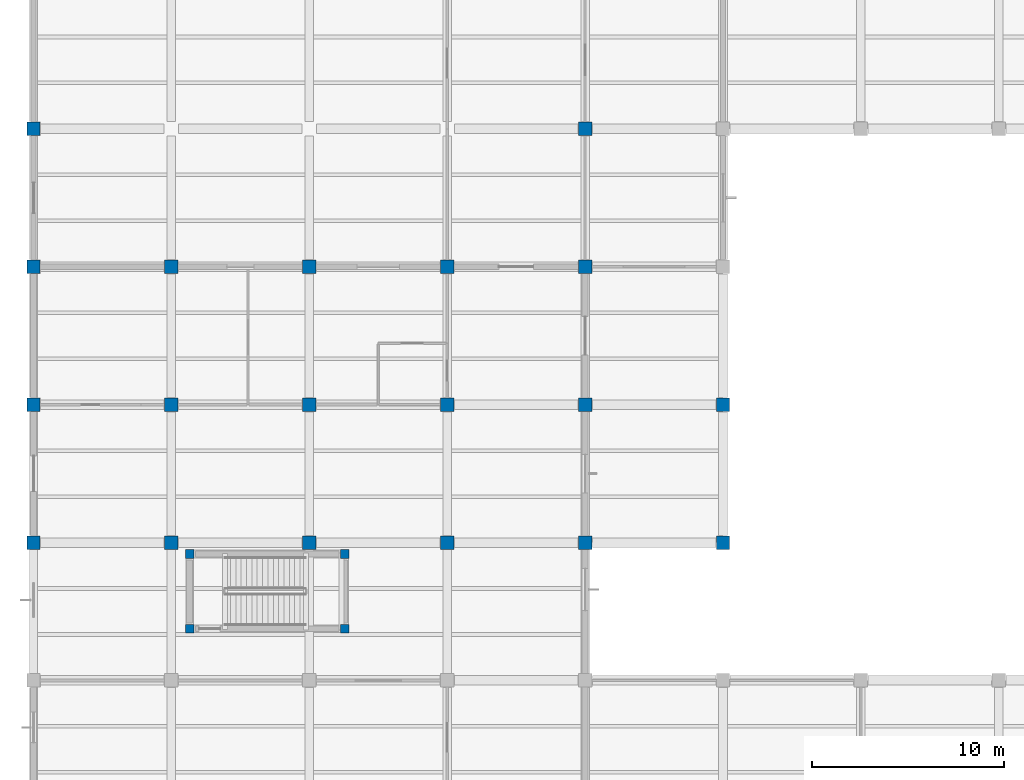
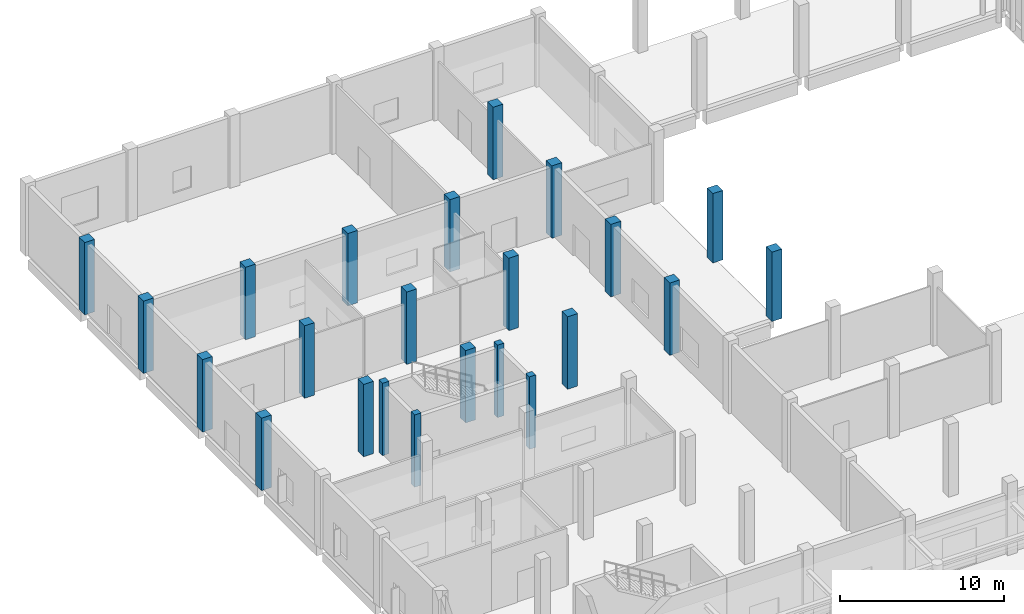
# One storey, part 3 of 46: 23 columns.
"""IFC4 building model written with IfcOpenShell, lengths in metres."""

from ifc_helpers import new_model, si_unit, direction, frame, origin, origin_2d, place, context, subcontext, project, spatial, rectangle, extrude, material, material_profile, profile_set, type_object, element, save


model = new_model("IFC4")

# Units and contexts
model_context = context("Model", 3, precision=1e-05, world=origin(), true_north=direction((0.0, 1.0)))
body_context = subcontext(model_context, "Body", "Model", "MODEL_VIEW")
ifc_project = project(units=[si_unit("LENGTHUNIT", "METRE"), si_unit("AREAUNIT", "SQUARE_METRE"), si_unit("VOLUMEUNIT", "CUBIC_METRE"), si_unit("PLANEANGLEUNIT", "RADIAN"), si_unit("MASSUNIT", "GRAM", prefix="KILO"), si_unit("THERMODYNAMICTEMPERATUREUNIT", "KELVIN"), si_unit("POWERUNIT", "WATT")], contexts=[model_context])

# Site, building, storey
site_placement = place(None, origin())
site = spatial("IfcSite", under=ifc_project, at=site_placement, CompositionType="ELEMENT")
building_placement = place(site_placement, origin())
building = spatial("IfcBuilding", under=site, at=building_placement, Name="Kaldorven Railside Theatre", CompositionType="ELEMENT")
storey_placement = place(building_placement, origin())
storey = spatial("IfcBuildingStorey", under=building, at=storey_placement, Name="L00", CompositionType="ELEMENT", Elevation=0.0)

# Columns
ifc_material = material(Name="Concrete C40/50", Category="concrete")
ifc_material_profile_1 = material_profile(ifc_material, rectangle(XDim=0.449951171875, YDim=0.449951171875, at=origin_2d()), Name="RC 450x450")
ifc_profile_set_1 = profile_set([ifc_material_profile_1], Name="Concrete C40/50")
column_type_1 = type_object("IfcColumnType", Name="COL-RC450", PredefinedType="COLUMN", material=ifc_profile_set_1)
for number, where, z_axis, x_axis, name in (
    (1, (16.14990234375, 43.5, 0.0), (0.0, 0.0, 1.0), (1.0, 0.0, 0.0), "Core ST-02 L00 Boundary Column CCR-005"),
    (2, (24.25, 43.5, 0.0), (0.0, 0.0, 1.0), (1.0, 0.0, 0.0), "Core ST-02 L00 Boundary Column CCR-008"),
    (3, (24.25, 47.39990234375, 0.0), (0.0, 0.0, 1.0), (1.0, 0.0, 0.0), "Core ST-02 L00 Boundary Column CCR-011"),
    (4, (16.14990234375, 47.39990234375, 0.0), (0.0, 0.0, 1.0), (1.0, 0.0, 0.0), "Core ST-02 L00 Boundary Column CCR-014"),
):
    element("IfcColumn", number, at=place(storey_placement, frame(where, z_axis=z_axis, x_axis=x_axis)), inside=storey, type_object=column_type_1, Name=name, PredefinedType="COLUMN", context=body_context, shape_type="SweptSolid", body=[
        extrude(rectangle(XDim=0.449951171875, YDim=0.449951171875, at=origin_2d()), origin(), (0.0, 0.0, 1.0), 5.39990234375),
    ])
ifc_material_profile_2 = material_profile(ifc_material, rectangle(XDim=0.699951171875, YDim=0.699951171875, at=origin_2d()), Name="RC 700x700")
ifc_profile_set_2 = profile_set([ifc_material_profile_2], Name="Concrete C40/50")
column_type_2 = type_object("IfcColumnType", Name="COL-RC700", PredefinedType="COLUMN", material=ifc_profile_set_2)
for number, where, z_axis, x_axis, name in (
    (5, (8.0, 48.0, 0.0), (0.0, 0.0, 1.0), (1.0, 0.0, 0.0), "L00 Column CG-L00-008-048"),
    (6, (15.199951171875, 48.0, 0.0), (0.0, 0.0, 1.0), (0.0, 1.0, 0.0), "L00 Column CG-L00-015-048"),
    (7, (22.39990234375, 48.0, 0.0), (0.0, 0.0, 1.0), (1.0, 0.0, 0.0), "L00 Column CG-L00-022-048"),
    (8, (29.60009765625, 48.0, 0.0), (0.0, 0.0, 1.0), (0.0, 1.0, 0.0), "L00 Column CG-L00-029-048"),
    (9, (36.800048828125, 48.0, 0.0), (0.0, 0.0, 1.0), (1.0, 0.0, 0.0), "L00 Column CG-L00-036-048"),
):
    element("IfcColumn", number, at=place(storey_placement, frame(where, z_axis=z_axis, x_axis=x_axis)), inside=storey, type_object=column_type_2, Name=name, PredefinedType="COLUMN", context=body_context, shape_type="SweptSolid", body=[
        extrude(rectangle(XDim=0.699951171875, YDim=0.699951171875, at=origin_2d()), origin(), (0.0, 0.0, 1.0), 5.39990234375),
    ])
column_1_placement = place(storey_placement, frame((44.0, 48.0, 0.0), z_axis=(0.0, 0.0, 1.0), x_axis=(1.0, 0.0, 0.0)))
element("IfcColumn", 10, at=column_1_placement, inside=storey, type_object=column_type_2, Name="L00 Column CG-L00-044-048", PredefinedType="COLUMN", context=body_context, shape_type="SweptSolid", body=[
    extrude(rectangle(XDim=0.699951171875, YDim=0.699951171875, at=origin_2d()), origin(), (0.0, 0.0, 1.0), 5.179931640625),
])
for number, where, z_axis, x_axis, name in (
    (11, (8.0, 55.199951171875, 0.0), (0.0, 0.0, 1.0), (0.0, 1.0, 0.0), "L00 Column CG-L00-008-055"),
    (12, (15.199951171875, 55.199951171875, 0.0), (0.0, 0.0, 1.0), (1.0, 0.0, 0.0), "L00 Column CG-L00-015-055"),
    (13, (22.39990234375, 55.199951171875, 0.0), (0.0, 0.0, 1.0), (0.0, 1.0, 0.0), "L00 Column CG-L00-022-055"),
    (14, (29.60009765625, 55.199951171875, 0.0), (0.0, 0.0, 1.0), (1.0, 0.0, 0.0), "L00 Column CG-L00-029-055"),
    (15, (36.800048828125, 55.199951171875, 0.0), (0.0, 0.0, 1.0), (1.0, 0.0, 0.0), "L00 Column CG-L00-036-055"),
):
    element("IfcColumn", number, at=place(storey_placement, frame(where, z_axis=z_axis, x_axis=x_axis)), inside=storey, type_object=column_type_2, Name=name, PredefinedType="COLUMN", context=body_context, shape_type="SweptSolid", body=[
        extrude(rectangle(XDim=0.699951171875, YDim=0.699951171875, at=origin_2d()), origin(), (0.0, 0.0, 1.0), 5.39990234375),
    ])
column_2_placement = place(storey_placement, frame((44.0, 55.199951171875, 0.0), z_axis=(0.0, 0.0, 1.0), x_axis=(0.0, 1.0, 0.0)))
element("IfcColumn", 16, at=column_2_placement, inside=storey, type_object=column_type_2, Name="L00 Column CG-L00-044-055", PredefinedType="COLUMN", context=body_context, shape_type="SweptSolid", body=[
    extrude(rectangle(XDim=0.699951171875, YDim=0.699951171875, at=origin_2d()), origin(), (0.0, 0.0, 1.0), 5.179931640625),
])
for number, where, z_axis, x_axis, name in (
    (17, (8.0, 62.39990234375, 0.0), (0.0, 0.0, 1.0), (1.0, 0.0, 0.0), "L00 Column CG-L00-008-062"),
    (18, (15.199951171875, 62.39990234375, 0.0), (0.0, 0.0, 1.0), (0.0, 1.0, 0.0), "L00 Column CG-L00-015-062"),
    (19, (22.39990234375, 62.39990234375, 0.0), (0.0, 0.0, 1.0), (1.0, 0.0, 0.0), "L00 Column CG-L00-022-062"),
    (20, (29.60009765625, 62.39990234375, 0.0), (0.0, 0.0, 1.0), (1.0, 0.0, 0.0), "L00 Column CG-L00-029-062"),
    (21, (36.800048828125, 62.39990234375, 0.0), (0.0, 0.0, 1.0), (0.0, 1.0, 0.0), "L00 Column CG-L00-036-062"),
    (22, (8.0, 69.60009765625, 0.0), (0.0, 0.0, 1.0), (0.0, 1.0, 0.0), "L00 Column CG-L00-008-069"),
    (23, (36.800048828125, 69.60009765625, 0.0), (0.0, 0.0, 1.0), (1.0, 0.0, 0.0), "L00 Column CG-L00-036-069"),
):
    element("IfcColumn", number, at=place(storey_placement, frame(where, z_axis=z_axis, x_axis=x_axis)), inside=storey, type_object=column_type_2, Name=name, PredefinedType="COLUMN", context=body_context, shape_type="SweptSolid", body=[
        extrude(rectangle(XDim=0.699951171875, YDim=0.699951171875, at=origin_2d()), origin(), (0.0, 0.0, 1.0), 5.39990234375),
    ])

save(model, "model.ifc")
